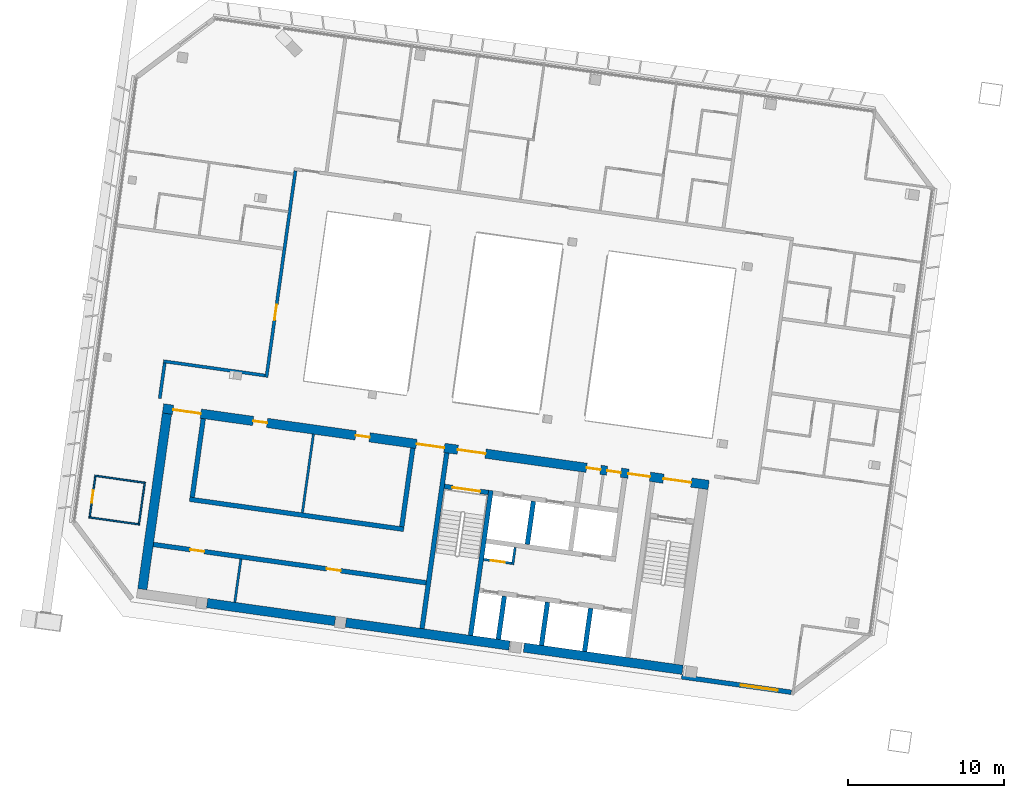
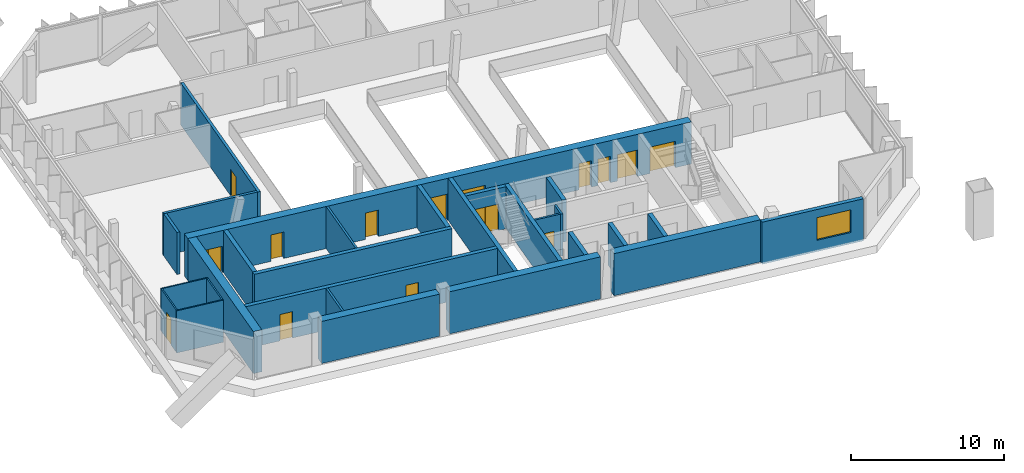
# One storey, part 15 of 26: 28 walls, 15 doors, 1 window, 16 openings.
"""IFC4 building model written with IfcOpenShell, lengths in metres."""

from ifc_helpers import new_model, si_unit, direction, frame, frame_2d, origin, place, context, subcontext, project, spatial, rectangle, extrude, material, layer, layer_set, type_object, element, fill, save


model = new_model("IFC4")

# Units and contexts
model_context = context("Model", 3, precision=1e-05, world=origin(), true_north=direction((0.0, 1.0)))
body_context = subcontext(model_context, "Body", "Model", "MODEL_VIEW")
ifc_project = project(units=[si_unit("LENGTHUNIT", "METRE"), si_unit("AREAUNIT", "SQUARE_METRE"), si_unit("VOLUMEUNIT", "CUBIC_METRE"), si_unit("PLANEANGLEUNIT", "RADIAN"), si_unit("MASSUNIT", "GRAM", prefix="KILO")], contexts=[model_context])

# Site, building, storey
site_placement = place(None, origin())
site = spatial("IfcSite", under=ifc_project, at=site_placement, CompositionType="ELEMENT")
building_placement = place(site_placement, origin())
building = spatial("IfcBuilding", under=site, at=building_placement, Name="Mirante Cascada Hotel Towers", CompositionType="ELEMENT")
storey_placement = place(building_placement, frame((0.0, 0.0, 228.0)))
storey = spatial("IfcBuildingStorey", under=building, at=storey_placement, Name="L54", CompositionType="ELEMENT", Elevation=228.0)

# Wall
ifc_material_1 = material(Name="Fire-rated plasterboard on metal studs")
ifc_layer_1 = layer(ifc_material_1, 0.2)
ifc_layer_set_1 = layer_set([ifc_layer_1], Name="Compartment wall 200 EI 120")
wall_type_1 = type_object("IfcWallType", Name="Compartment wall 200 EI 120", PredefinedType="PARTITIONING", material=ifc_layer_set_1)
wall_1_placement = place(storey_placement, frame((-70.6781, 0.2835, 0.0), z_axis=(0.0, 0.0, 1.0), x_axis=(0.990269, -0.1391661, 0.0)))
element("IfcWall", 1, at=wall_1_placement, inside=storey, type_object=wall_type_1, Name="Wall 1-L54-06", PredefinedType="PARTITIONING", context=body_context, shape_type="SweptSolid", body=[
    extrude(rectangle(XDim=6.6, YDim=0.2, at=frame_2d((3.3, 0.0))), origin(), (0.0, 0.0, 1.0), 3.35),
])

# Wall, opening, door
wall_2_placement = place(storey_placement, frame((-62.1923, 12.5216, 0.0), z_axis=(0.0, 0.0, 1.0), x_axis=(-0.1391716, -0.9902683, 0.0)))
wall_2 = element("IfcWall", 2, at=wall_2_placement, inside=storey, type_object=wall_type_1, Name="Wall 1-L54-48", PredefinedType="PARTITIONING", context=body_context, shape_type="SweptSolid", body=[
    extrude(rectangle(XDim=13.4, YDim=0.2, at=frame_2d((6.7, 0.0))), origin(), (0.0, 0.0, 1.0), 3.35),
])
opening_1_placement = place(wall_2_placement, frame((8.6834, 0.0, 0.0)))
opening_1 = element("IfcOpeningElement", 3, at=opening_1_placement, cuts=wall_2, Name="Opening D1-L54-29", PredefinedType="OPENING", context=body_context, shape_type="SweptSolid", body=[
    extrude(rectangle(XDim=1.0, YDim=2.1, at=frame_2d((0.5, 1.05))), frame((0.0, 0.1, 0.0), z_axis=(0.0, -1.0, 0.0), x_axis=(1.0, 0.0, 0.0)), (0.0, 0.0, 1.0), 0.2),
])
ifc_material_2 = material(Name="Fire-rated timber door leaf", Category="wood")
door_type_1 = type_object("IfcDoorType", Name="Entrance door DG1 1000x2100 EI 60", OperationType="SINGLE_SWING_LEFT", PredefinedType="DOOR", material=ifc_material_2)
door_1_placement = place(opening_1_placement, frame((1.0, 0.0, 0.0), z_axis=(0.0, 0.0, 1.0), x_axis=(-1.0, 0.0, 0.0)))
door_1 = element("IfcDoor", 4, at=door_1_placement, inside=storey, type_object=door_type_1, Name="Door D1-L54-29", OperationType="SINGLE_SWING_RIGHT", OverallHeight=2.1, OverallWidth=1.0, PredefinedType="DOOR", context=body_context, shape_type="SweptSolid", body=[
    extrude(rectangle(XDim=1.0, YDim=2.1, at=frame_2d((0.5, 1.05))), frame((0.0, 0.025, 0.0), z_axis=(0.0, -1.0, 0.0), x_axis=(1.0, 0.0, 0.0)), (0.0, 0.0, 1.0), 0.05),
])
fill(opening_1, door_1)

# Walls
wall_3_placement = place(storey_placement, frame((-70.9131, -2.107, 0.0), z_axis=(0.0, 0.0, 1.0), x_axis=(0.1391749, 0.9902678, 0.0)))
element("IfcWall", 5, at=wall_3_placement, inside=storey, type_object=wall_type_1, Name="Wall 1-L54-51", PredefinedType="PARTITIONING", context=body_context, shape_type="SweptSolid", body=[
    extrude(rectangle(XDim=2.3, YDim=0.2, at=frame_2d((1.15, 0.0))), origin(), (0.0, 0.0, 1.0), 3.35),
])
ifc_material_3 = material(Name="Masonry block", Category="masonry")
ifc_layer_2 = layer(ifc_material_3, 0.15)
ifc_layer_set_2 = layer_set([ifc_layer_2], Name="Core room partition 150 block EI 30")
wall_type_2 = type_object("IfcWallType", Name="Core room partition 150 block EI 30", PredefinedType="PARTITIONING", material=ifc_layer_set_2)
wall_4_placement = place(storey_placement, frame((-48.2295, -12.793, 0.0), z_axis=(0.0, 0.0, 1.0), x_axis=(0.1391935, 0.9902652, 0.0)))
element("IfcWall", 6, at=wall_4_placement, inside=storey, type_object=wall_type_2, Name="Core wall partition T1 L54 2", PredefinedType="PARTITIONING", context=body_context, shape_type="SweptSolid", body=[
    extrude(rectangle(XDim=1.1251, YDim=0.15, at=frame_2d((0.5626, 0.0))), origin(), (0.0, 0.0, 1.0), 3.35),
])

# Wall, opening, door
wall_5_placement = place(storey_placement, frame((-48.2933, -12.7083, 0.0), z_axis=(0.0, 0.0, 1.0), x_axis=(-0.990268, 0.1391734, 0.0)))
wall_5 = element("IfcWall", 7, at=wall_5_placement, inside=storey, type_object=wall_type_2, Name="Core wall partition T1 L54 3", PredefinedType="PARTITIONING", context=body_context, shape_type="SweptSolid", body=[
    extrude(rectangle(XDim=1.8251, YDim=0.15, at=frame_2d((0.9126, 0.0))), origin(), (0.0, 0.0, 1.0), 3.35),
])
opening_2_placement = place(wall_5_placement, frame((0.4625, 0.0, 0.0)))
opening_2 = element("IfcOpeningElement", 8, at=opening_2_placement, cuts=wall_5, Name="Opening D1-54-C15", PredefinedType="OPENING", context=body_context, shape_type="SweptSolid", body=[
    extrude(rectangle(XDim=0.9, YDim=2.1, at=frame_2d((0.45, 1.05))), frame((0.0, 0.075, 0.0), z_axis=(0.0, -1.0, 0.0), x_axis=(1.0, 0.0, 0.0)), (0.0, 0.0, 1.0), 0.15),
])
ifc_material_4 = material(Name="Hollow metal fire door leaf")
door_type_2 = type_object("IfcDoorType", Name="Fire door 900x2100 FD60", OperationType="NOTDEFINED", PredefinedType="DOOR", material=ifc_material_4)
door_2_placement = place(opening_2_placement, origin())
door_2 = element("IfcDoor", 9, at=door_2_placement, inside=storey, type_object=door_type_2, Name="Riser door T1 L54 15", OperationType="SINGLE_SWING_LEFT", OverallHeight=2.1, OverallWidth=0.9, PredefinedType="DOOR", context=body_context, shape_type="SweptSolid", body=[
    extrude(rectangle(XDim=0.9, YDim=2.1, at=frame_2d((0.45, 1.05))), frame((0.0, 0.025, 0.0), z_axis=(0.0, -1.0, 0.0), x_axis=(1.0, 0.0, 0.0)), (0.0, 0.0, 1.0), 0.05),
])
fill(opening_2, door_2)

# Walls
wall_6_placement = place(storey_placement, frame((-66.0891, -15.2059, 0.0), z_axis=(0.0, 0.0, 1.0), x_axis=(0.139176, 0.9902677, 0.0)))
element("IfcWall", 10, at=wall_6_placement, inside=storey, type_object=wall_type_2, Name="Core wall partition T1 L54 6", PredefinedType="PARTITIONING", context=body_context, shape_type="SweptSolid", body=[
    extrude(rectangle(XDim=2.8001, YDim=0.15, at=frame_2d((1.4, 0.0))), origin(), (0.0, 0.0, 1.0), 3.35),
])
wall_7_placement = place(storey_placement, frame((-61.7464, -9.4543, 0.0), z_axis=(0.0, 0.0, 1.0), x_axis=(0.1391755, 0.9902677, 0.0)))
element("IfcWall", 11, at=wall_7_placement, inside=storey, type_object=wall_type_2, Name="Core wall partition T1 L54 7", PredefinedType="PARTITIONING", context=body_context, shape_type="SweptSolid", body=[
    extrude(rectangle(XDim=5.1, YDim=0.15, at=frame_2d((2.55, 0.0))), origin(), (0.0, 0.0, 1.0), 3.35),
])

# Wall, openings, doors
ifc_material_5 = material(Name="Masonry block", Category="masonry")
ifc_layer_3 = layer(ifc_material_5, 0.3)
ifc_layer_set_3 = layer_set([ifc_layer_3], Name="Core wall 300 block EI 120")
wall_type_3 = type_object("IfcWallType", Name="Core wall 300 block EI 120", PredefinedType="PARTITIONING", material=ifc_layer_set_3)
wall_8_placement = place(storey_placement, frame((-53.7953, -13.9547, 0.0), z_axis=(0.0, 0.0, 1.0), x_axis=(-0.9902678, 0.1391747, 0.0)))
wall_8 = element("IfcWall", 12, at=wall_8_placement, inside=storey, type_object=wall_type_3, Name="Core wall partition T1 L54 5", PredefinedType="PARTITIONING", context=body_context, shape_type="SweptSolid", body=[
    extrude(rectangle(XDim=17.7001, YDim=0.3, at=frame_2d((8.85, 0.0))), origin(), (0.0, 0.0, 1.0), 3.35),
])
opening_3_placement = place(wall_8_placement, frame((5.55, 0.0, 0.0)))
opening_3 = element("IfcOpeningElement", 13, at=opening_3_placement, cuts=wall_8, Name="Opening D1-54-C18", PredefinedType="OPENING", context=body_context, shape_type="SweptSolid", body=[
    extrude(rectangle(XDim=0.9, YDim=2.1, at=frame_2d((0.45, 1.05))), frame((0.0, 0.15, 0.0), z_axis=(0.0, -1.0, 0.0), x_axis=(1.0, 0.0, 0.0)), (0.0, 0.0, 1.0), 0.3),
])
opening_4_placement = place(wall_8_placement, frame((14.4, 0.0, 0.0)))
opening_4 = element("IfcOpeningElement", 14, at=opening_4_placement, cuts=wall_8, Name="Opening D1-54-C19", PredefinedType="OPENING", context=body_context, shape_type="SweptSolid", body=[
    extrude(rectangle(XDim=0.9, YDim=2.1, at=frame_2d((0.45, 1.05))), frame((0.0, 0.15, 0.0), z_axis=(0.0, -1.0, 0.0), x_axis=(1.0, 0.0, 0.0)), (0.0, 0.0, 1.0), 0.3),
])
door_3_placement = place(opening_3_placement, origin())
door_3 = element("IfcDoor", 15, at=door_3_placement, inside=storey, type_object=door_type_2, Name="Room door T1 L54 18", OperationType="SINGLE_SWING_RIGHT", OverallHeight=2.1, OverallWidth=0.9, PredefinedType="DOOR", context=body_context, shape_type="SweptSolid", body=[
    extrude(rectangle(XDim=0.9, YDim=2.1, at=frame_2d((0.45, 1.05))), frame((0.0, 0.025, 0.0), z_axis=(0.0, -1.0, 0.0), x_axis=(1.0, 0.0, 0.0)), (0.0, 0.0, 1.0), 0.05),
])
fill(opening_3, door_3)
door_4_placement = place(opening_4_placement, origin())
door_4 = element("IfcDoor", 16, at=door_4_placement, inside=storey, type_object=door_type_2, Name="Room door T1 L54 19", OperationType="SINGLE_SWING_LEFT", OverallHeight=2.1, OverallWidth=0.9, PredefinedType="DOOR", context=body_context, shape_type="SweptSolid", body=[
    extrude(rectangle(XDim=0.9, YDim=2.1, at=frame_2d((0.45, 1.05))), frame((0.0, 0.025, 0.0), z_axis=(0.0, -1.0, 0.0), x_axis=(1.0, 0.0, 0.0)), (0.0, 0.0, 1.0), 0.05),
])
fill(opening_4, door_4)

# Walls
ifc_material_6 = material(Name="Plasterboard on metal studs")
ifc_layer_4 = layer(ifc_material_6, 0.1)
ifc_layer_set_4 = layer_set([ifc_layer_4], Name="Partition 100")
wall_type_4 = type_object("IfcWallType", Name="Partition 100", PredefinedType="PARTITIONING", material=ifc_layer_set_4)
wall_9_placement = place(storey_placement, frame((-75.4707, -9.7471, 0.0), z_axis=(0.0, 0.0, 1.0), x_axis=(0.990267, -0.139181, 0.0)))
element("IfcWall", 17, at=wall_9_placement, inside=storey, type_object=wall_type_4, Name="Wall 1-L54-02", PredefinedType="PARTITIONING", context=body_context, shape_type="SweptSolid", body=[
    extrude(rectangle(XDim=3.3, YDim=0.1, at=frame_2d((1.65, 0.0))), origin(), (0.0, 0.0, 1.0), 3.35),
])
wall_10_placement = place(storey_placement, frame((-71.8271, -7.5326, 0.0), z_axis=(0.0, 0.0, 1.0), x_axis=(-0.9902705, 0.1391555, 0.0)))
element("IfcWall", 18, at=wall_10_placement, inside=storey, type_object=wall_type_4, Name="Wall 1-L54-03", PredefinedType="PARTITIONING", context=body_context, shape_type="SweptSolid", body=[
    extrude(rectangle(XDim=3.2999, YDim=0.1, at=frame_2d((1.65, 0.0))), origin(), (0.0, 0.0, 1.0), 3.35),
])
wall_11_placement = place(storey_placement, frame((-71.8835, -7.5752, 0.0), z_axis=(0.0, 0.0, 1.0), x_axis=(-0.1391918, -0.9902654, 0.0)))
element("IfcWall", 19, at=wall_11_placement, inside=storey, type_object=wall_type_4, Name="Wall 1-L54-52", PredefinedType="PARTITIONING", context=body_context, shape_type="SweptSolid", body=[
    extrude(rectangle(XDim=2.6, YDim=0.1, at=frame_2d((1.3, 0.0))), origin(), (0.0, 0.0, 1.0), 3.35),
])

# Wall, opening, door
wall_12_placement = place(storey_placement, frame((-75.0524, -7.1298, 0.0), z_axis=(0.0, 0.0, 1.0), x_axis=(-0.1391541, -0.9902707, 0.0)))
wall_12 = element("IfcWall", 20, at=wall_12_placement, inside=storey, type_object=wall_type_4, Name="Wall 1-L54-54", PredefinedType="PARTITIONING", context=body_context, shape_type="SweptSolid", body=[
    extrude(rectangle(XDim=2.6, YDim=0.1, at=frame_2d((1.3, 0.0))), origin(), (0.0, 0.0, 1.0), 3.35),
])
opening_5_placement = place(wall_12_placement, frame((0.9, 0.0, 0.0)))
opening_5 = element("IfcOpeningElement", 21, at=opening_5_placement, cuts=wall_12, Name="Opening D1-L54-32", PredefinedType="OPENING", context=body_context, shape_type="SweptSolid", body=[
    extrude(rectangle(XDim=0.8, YDim=2.1, at=frame_2d((0.4, 1.05))), frame((0.0, 0.05, 0.0), z_axis=(0.0, -1.0, 0.0), x_axis=(1.0, 0.0, 0.0)), (0.0, 0.0, 1.0), 0.1),
])
ifc_material_7 = material(Name="Timber door leaf", Category="wood")
door_type_3 = type_object("IfcDoorType", Name="Bathroom door DG4 800x2100", OperationType="SINGLE_SWING_LEFT", PredefinedType="DOOR", material=ifc_material_7)
door_5_placement = place(opening_5_placement, origin())
door_5 = element("IfcDoor", 22, at=door_5_placement, inside=storey, type_object=door_type_3, Name="Door D1-L54-32", OperationType="SINGLE_SWING_LEFT", OverallHeight=2.1, OverallWidth=0.8, PredefinedType="DOOR", context=body_context, shape_type="SweptSolid", body=[
    extrude(rectangle(XDim=0.8, YDim=2.1, at=frame_2d((0.4, 1.05))), frame((0.0, 0.025, 0.0), z_axis=(0.0, -1.0, 0.0), x_axis=(1.0, 0.0, 0.0)), (0.0, 0.0, 1.0), 0.05),
])
fill(opening_5, door_5)

# Wall, opening, window
ifc_material_8 = material(Name="Precast concrete C40/50", Category="concrete")
ifc_layer_5 = layer(ifc_material_8, 0.3)
ifc_layer_set_5 = layer_set([ifc_layer_5], Name="Precast concrete C40/50 cladding wall 300")
wall_type_5 = type_object("IfcWallType", Name="Precast concrete C40/50 cladding wall 300", PredefinedType="STANDARD", material=ifc_layer_set_5)
wall_13_placement = place(storey_placement, frame((-30.3318, -20.9886, 0.0), z_axis=(0.0, 0.0, 1.0), x_axis=(-0.990268, 0.1391736, 0.0)))
wall_13 = element("IfcWall", 23, at=wall_13_placement, inside=storey, type_object=wall_type_5, Name="Rear cladding wall T1 L54 1", PredefinedType="STANDARD", context=body_context, shape_type="SweptSolid", body=[
    extrude(rectangle(XDim=7.1141, YDim=0.3, at=frame_2d((3.557, 0.0))), origin(), (0.0, 0.0, 1.0), 3.35),
])
opening_6_placement = place(wall_13_placement, frame((0.8787, 0.0, 0.9)))
opening_6 = element("IfcOpeningElement", 24, at=opening_6_placement, cuts=wall_13, Name="Opening W1-54-01", PredefinedType="OPENING", context=body_context, shape_type="SweptSolid", body=[
    extrude(rectangle(XDim=2.4, YDim=1.8, at=frame_2d((1.2, 0.9))), frame((0.0, 0.15, 0.0), z_axis=(0.0, -1.0, 0.0), x_axis=(1.0, 0.0, 0.0)), (0.0, 0.0, 1.0), 0.3),
])
ifc_material_9 = material(Name="Aluminium frame with clear double glazing", Category="aluminium")
window_type = type_object("IfcWindowType", Name="Punched window 2400x1800", PartitioningType="DOUBLE_PANEL_VERTICAL", PredefinedType="WINDOW", material=ifc_material_9)
window_placement = place(opening_6_placement, origin())
window = element("IfcWindow", 25, at=window_placement, inside=storey, type_object=window_type, Name="Window W1-54-01", OverallHeight=1.8, OverallWidth=2.4, PartitioningType="SINGLE_PANEL", PredefinedType="WINDOW", context=body_context, shape_type="SweptSolid", body=[
    extrude(rectangle(XDim=2.4, YDim=1.8, at=frame_2d((1.2, 0.9))), frame((0.0, 0.03, 0.0), z_axis=(0.0, -1.0, 0.0), x_axis=(1.0, 0.0, 0.0)), (0.0, 0.0, 1.0), 0.06),
])
fill(opening_6, window)

# Walls
ifc_material_10 = material(Name="Concrete C50/60", Category="concrete")
ifc_layer_6 = layer(ifc_material_10, 0.3)
ifc_layer_set_6 = layer_set([ifc_layer_6], Name="RC core wall 300 C50/60")
wall_type_6 = type_object("IfcWallType", Name="RC core wall 300 C50/60", PredefinedType="SHEAR", material=ifc_layer_set_6)
wall_14_placement = place(storey_placement, frame((-50.938, -17.3352, 0.0), z_axis=(0.0, 0.0, 1.0), x_axis=(0.1391706, 0.9902684, 0.0)))
element("IfcWall", 26, at=wall_14_placement, inside=storey, type_object=wall_type_6, Name="Core wall T1:L54:6", PredefinedType="SHEAR", context=body_context, shape_type="SweptSolid", body=[
    extrude(rectangle(XDim=9.4, YDim=0.3, at=frame_2d((4.7, 0.0))), origin(), (0.0, 0.0, 1.0), 3.35),
])
wall_15_placement = place(storey_placement, frame((-54.0574, -16.8968, 0.0), z_axis=(0.0, 0.0, 1.0), x_axis=(0.1391761, 0.9902677, 0.0)))
element("IfcWall", 27, at=wall_15_placement, inside=storey, type_object=wall_type_6, Name="Core wall T1:L54:7", PredefinedType="SHEAR", context=body_context, shape_type="SweptSolid", body=[
    extrude(rectangle(XDim=11.3999, YDim=0.3, at=frame_2d((5.7, 0.0))), origin(), (0.0, 0.0, 1.0), 3.35),
])

# Wall, opening, door
wall_16_placement = place(storey_placement, frame((-49.7992, -8.1544, 0.0), z_axis=(0.0, 0.0, 1.0), x_axis=(-0.9902656, 0.1391909, 0.0)))
wall_16 = element("IfcWall", 28, at=wall_16_placement, inside=storey, type_object=wall_type_6, Name="Core wall T1:L54:9", PredefinedType="SHEAR", context=body_context, shape_type="SweptSolid", body=[
    extrude(rectangle(XDim=2.85, YDim=0.3, at=frame_2d((1.425, 0.0))), origin(), (0.0, 0.0, 1.0), 3.35),
])
opening_7_placement = place(wall_16_placement, frame((0.525, 0.0, 0.0)))
opening_7 = element("IfcOpeningElement", 29, at=opening_7_placement, cuts=wall_16, Name="Opening D1-54-C09", PredefinedType="OPENING", context=body_context, shape_type="SweptSolid", body=[
    extrude(rectangle(XDim=1.8, YDim=2.1, at=frame_2d((0.9, 1.05))), frame((0.0, 0.15, 0.0), z_axis=(0.0, -1.0, 0.0), x_axis=(1.0, 0.0, 0.0)), (0.0, 0.0, 1.0), 0.3),
])
ifc_material_11 = material(Name="Hollow metal fire door leaf")
door_type_4 = type_object("IfcDoorType", Name="Double fire door 1800x2100 FD60", OperationType="DOUBLE_DOOR_SINGLE_SWING", PredefinedType="DOOR", material=ifc_material_11)
door_6_placement = place(opening_7_placement, origin())
door_6 = element("IfcDoor", 30, at=door_6_placement, inside=storey, type_object=door_type_4, Name="Stair door T1 L54 9", OperationType="DOUBLE_DOOR_SINGLE_SWING", OverallHeight=2.1, OverallWidth=1.8, PredefinedType="DOOR", context=body_context, shape_type="SweptSolid", body=[
    extrude(rectangle(XDim=0.895, YDim=2.1, at=frame_2d((0.4475, 1.05))), frame((0.0, 0.025, 0.0), z_axis=(0.0, -1.0, 0.0), x_axis=(1.0, 0.0, 0.0)), (0.0, 0.0, 1.0), 0.05),
    extrude(rectangle(XDim=0.895, YDim=2.1, at=frame_2d((1.3525, 1.05))), frame((0.0, 0.025, 0.0), z_axis=(0.0, -1.0, 0.0), x_axis=(1.0, 0.0, 0.0)), (0.0, 0.0, 1.0), 0.05),
])
fill(opening_7, door_6)

# Walls
wall_17_placement = place(storey_placement, frame((-43.61, -18.3651, 0.0), z_axis=(0.0, 0.0, 1.0), x_axis=(0.1391459, 0.9902719, 0.0)))
element("IfcWall", 31, at=wall_17_placement, inside=storey, type_object=wall_type_6, Name="Core wall T1:L54:13", PredefinedType="SHEAR", context=body_context, shape_type="SweptSolid", body=[
    extrude(rectangle(XDim=2.7999, YDim=0.3, at=frame_2d((1.4, 0.0))), origin(), (0.0, 0.0, 1.0), 3.35),
])
wall_18_placement = place(storey_placement, frame((-46.3828, -17.9754, 0.0), z_axis=(0.0, 0.0, 1.0), x_axis=(0.139181, 0.990267, 0.0)))
element("IfcWall", 32, at=wall_18_placement, inside=storey, type_object=wall_type_6, Name="Core wall T1:L54:14", PredefinedType="SHEAR", context=body_context, shape_type="SweptSolid", body=[
    extrude(rectangle(XDim=2.8, YDim=0.3, at=frame_2d((1.4, 0.0))), origin(), (0.0, 0.0, 1.0), 3.35),
])
wall_19_placement = place(storey_placement, frame((-49.1555, -17.5857, 0.0), z_axis=(0.0, 0.0, 1.0), x_axis=(0.1391459, 0.9902719, 0.0)))
element("IfcWall", 33, at=wall_19_placement, inside=storey, type_object=wall_type_6, Name="Core wall T1:L54:15", PredefinedType="SHEAR", context=body_context, shape_type="SweptSolid", body=[
    extrude(rectangle(XDim=2.7999, YDim=0.3, at=frame_2d((1.4, 0.0))), origin(), (0.0, 0.0, 1.0), 3.35),
])
wall_20_placement = place(storey_placement, frame((-47.2885, -11.4862, 0.0), z_axis=(0.0, 0.0, 1.0), x_axis=(0.139181, 0.990267, 0.0)))
element("IfcWall", 34, at=wall_20_placement, inside=storey, type_object=wall_type_6, Name="Core wall T1:L54:17", PredefinedType="SHEAR", context=body_context, shape_type="SweptSolid", body=[
    extrude(rectangle(XDim=2.8, YDim=0.3, at=frame_2d((1.4, 0.0))), origin(), (0.0, 0.0, 1.0), 3.35),
])
wall_21_placement = place(storey_placement, frame((-55.2315, -10.5214, 0.0), z_axis=(0.0, 0.0, 1.0), x_axis=(-0.9902681, 0.1391729, 0.0)))
element("IfcWall", 35, at=wall_21_placement, inside=storey, type_object=wall_type_6, Name="Core wall T1:L54:25", PredefinedType="SHEAR", context=body_context, shape_type="SweptSolid", body=[
    extrude(rectangle(XDim=13.9, YDim=0.3, at=frame_2d((6.95, 0.0))), origin(), (0.0, 0.0, 1.0), 3.35),
])
for number, where, z_axis, x_axis, name in (
    (36, (-55.3592, -10.352, 0.0), (0.0, 0.0, 1.0), (0.1391755, 0.9902677, 0.0), "Core wall T1:L54:26"),
    (37, (-68.8268, -8.4592, 0.0), (0.0, 0.0, 1.0), (0.1391755, 0.9902677, 0.0), "Core wall T1:L54:27"),
):
    element("IfcWall", number, at=place(storey_placement, frame(where, z_axis=z_axis, x_axis=x_axis)), inside=storey, type_object=wall_type_6, Name=name, PredefinedType="SHEAR", context=body_context, shape_type="SweptSolid", body=[
        extrude(rectangle(XDim=5.1, YDim=0.3, at=frame_2d((2.55, 0.0))), origin(), (0.0, 0.0, 1.0), 3.35),
    ])
ifc_material_12 = material(Name="Concrete C50/60", Category="concrete")
ifc_layer_7 = layer(ifc_material_12, 0.6)
ifc_layer_set_7 = layer_set([ifc_layer_7], Name="RC core wall 600 C50/60")
wall_type_7 = type_object("IfcWallType", Name="RC core wall 600 C50/60", PredefinedType="SHEAR", material=ifc_layer_set_7)
wall_22_placement = place(storey_placement, frame((-37.3141, -19.5529, 0.0), z_axis=(0.0, 0.0, 1.0), x_axis=(-0.9902684, 0.1391708, 0.0)))
element("IfcWall", 38, at=wall_22_placement, inside=storey, type_object=wall_type_7, Name="Core wall T1:L54:1.1", PredefinedType="SHEAR", context=body_context, shape_type="SweptSolid", body=[
    extrude(rectangle(XDim=10.2967, YDim=0.6, at=frame_2d((5.1484, 0.0))), origin(), (0.0, 0.0, 1.0), 3.35),
])
wall_23_placement = place(storey_placement, frame((-48.442, -17.989, 0.0), z_axis=(0.0, 0.0, 1.0), x_axis=(-0.9902681, 0.1391731, 0.0)))
element("IfcWall", 39, at=wall_23_placement, inside=storey, type_object=wall_type_7, Name="Core wall T1:L54:1.2", PredefinedType="SHEAR", context=body_context, shape_type="SweptSolid", body=[
    extrude(rectangle(XDim=10.6127, YDim=0.6, at=frame_2d((5.3064, 0.0))), origin(), (0.0, 0.0, 1.0), 3.35),
])
wall_24_placement = place(storey_placement, frame((-59.6446, -16.4145, 0.0), z_axis=(0.0, 0.0, 1.0), x_axis=(-0.9902686, 0.1391692, 0.0)))
element("IfcWall", 40, at=wall_24_placement, inside=storey, type_object=wall_type_7, Name="Core wall T1:L54:1.3", PredefinedType="SHEAR", context=body_context, shape_type="SweptSolid", body=[
    extrude(rectangle(XDim=8.3, YDim=0.6, at=frame_2d((4.15, 0.0))), origin(), (0.0, 0.0, 1.0), 3.35),
])

# Wall, openings, doors
wall_25_placement = place(storey_placement, frame((-35.644, -7.6697, 0.0), z_axis=(0.0, 0.0, 1.0), x_axis=(-0.9902682, 0.1391723, 0.0)))
wall_25 = element("IfcWall", 41, at=wall_25_placement, inside=storey, type_object=wall_type_7, Name="Core wall T1:L54:2", PredefinedType="SHEAR", context=body_context, shape_type="SweptSolid", body=[
    extrude(rectangle(XDim=35.4, YDim=0.6, at=frame_2d((17.7, 0.0))), origin(), (0.0, 0.0, 1.0), 3.35),
])
opening_8_placement = place(wall_25_placement, frame((1.125, 0.0, 0.0)))
opening_8 = element("IfcOpeningElement", 42, at=opening_8_placement, cuts=wall_25, Name="Opening D1-54-C08", PredefinedType="OPENING", context=body_context, shape_type="SweptSolid", body=[
    extrude(rectangle(XDim=1.8, YDim=2.1, at=frame_2d((0.9, 1.05))), frame((0.0, 0.3, 0.0), z_axis=(0.0, -1.0, 0.0), x_axis=(1.0, 0.0, 0.0)), (0.0, 0.0, 1.0), 0.6),
])
opening_9_placement = place(wall_25_placement, frame((14.475, 0.0, 0.0)))
opening_9 = element("IfcOpeningElement", 43, at=opening_9_placement, cuts=wall_25, Name="Opening D1-54-C10", PredefinedType="OPENING", context=body_context, shape_type="SweptSolid", body=[
    extrude(rectangle(XDim=1.8, YDim=2.1, at=frame_2d((0.9, 1.05))), frame((0.0, 0.3, 0.0), z_axis=(0.0, -1.0, 0.0), x_axis=(1.0, 0.0, 0.0)), (0.0, 0.0, 1.0), 0.6),
])
opening_10_placement = place(wall_25_placement, frame((3.8, 0.0, 0.0)))
opening_10 = element("IfcOpeningElement", 44, at=opening_10_placement, cuts=wall_25, Name="Opening D1-54-C11", PredefinedType="OPENING", context=body_context, shape_type="SweptSolid", body=[
    extrude(rectangle(XDim=1.4, YDim=2.1, at=frame_2d((0.7, 1.05))), frame((0.0, 0.3, 0.0), z_axis=(0.0, -1.0, 0.0), x_axis=(1.0, 0.0, 0.0)), (0.0, 0.0, 1.0), 0.6),
])
opening_11_placement = place(wall_25_placement, frame((17.15, 0.0, 0.0)))
opening_11 = element("IfcOpeningElement", 45, at=opening_11_placement, cuts=wall_25, Name="Opening D1-54-C12", PredefinedType="OPENING", context=body_context, shape_type="SweptSolid", body=[
    extrude(rectangle(XDim=1.8, YDim=2.1, at=frame_2d((0.9, 1.05))), frame((0.0, 0.3, 0.0), z_axis=(0.0, -1.0, 0.0), x_axis=(1.0, 0.0, 0.0)), (0.0, 0.0, 1.0), 0.6),
])
opening_12_placement = place(wall_25_placement, frame((32.95, 0.0, 0.0)))
opening_12 = element("IfcOpeningElement", 46, at=opening_12_placement, cuts=wall_25, Name="Opening D1-54-C13", PredefinedType="OPENING", context=body_context, shape_type="SweptSolid", body=[
    extrude(rectangle(XDim=1.8, YDim=2.1, at=frame_2d((0.9, 1.05))), frame((0.0, 0.3, 0.0), z_axis=(0.0, -1.0, 0.0), x_axis=(1.0, 0.0, 0.0)), (0.0, 0.0, 1.0), 0.6),
])
opening_13_placement = place(wall_25_placement, frame((5.6875, 0.0, 0.0)))
opening_13 = element("IfcOpeningElement", 47, at=opening_13_placement, cuts=wall_25, Name="Opening D1-54-C16", PredefinedType="OPENING", context=body_context, shape_type="SweptSolid", body=[
    extrude(rectangle(XDim=0.9, YDim=2.1, at=frame_2d((0.45, 1.05))), frame((0.0, 0.3, 0.0), z_axis=(0.0, -1.0, 0.0), x_axis=(1.0, 0.0, 0.0)), (0.0, 0.0, 1.0), 0.6),
])
opening_14_placement = place(wall_25_placement, frame((7.0125, 0.0, 0.0)))
opening_14 = element("IfcOpeningElement", 48, at=opening_14_placement, cuts=wall_25, Name="Opening D1-54-C17", PredefinedType="OPENING", context=body_context, shape_type="SweptSolid", body=[
    extrude(rectangle(XDim=0.9, YDim=2.1, at=frame_2d((0.45, 1.05))), frame((0.0, 0.3, 0.0), z_axis=(0.0, -1.0, 0.0), x_axis=(1.0, 0.0, 0.0)), (0.0, 0.0, 1.0), 0.6),
])
opening_15_placement = place(wall_25_placement, frame((22.0, 0.0, 0.0)))
opening_15 = element("IfcOpeningElement", 49, at=opening_15_placement, cuts=wall_25, Name="Opening D1-54-C20", PredefinedType="OPENING", context=body_context, shape_type="SweptSolid", body=[
    extrude(rectangle(XDim=0.9, YDim=2.1, at=frame_2d((0.45, 1.05))), frame((0.0, 0.3, 0.0), z_axis=(0.0, -1.0, 0.0), x_axis=(1.0, 0.0, 0.0)), (0.0, 0.0, 1.0), 0.6),
])
opening_16_placement = place(wall_25_placement, frame((28.65, 0.0, 0.0)))
opening_16 = element("IfcOpeningElement", 50, at=opening_16_placement, cuts=wall_25, Name="Opening D1-54-C21", PredefinedType="OPENING", context=body_context, shape_type="SweptSolid", body=[
    extrude(rectangle(XDim=0.9, YDim=2.1, at=frame_2d((0.45, 1.05))), frame((0.0, 0.3, 0.0), z_axis=(0.0, -1.0, 0.0), x_axis=(1.0, 0.0, 0.0)), (0.0, 0.0, 1.0), 0.6),
])
ifc_material_13 = material(Name="Hollow metal fire door leaf")
door_type_5 = type_object("IfcDoorType", Name="Double fire door 1400x2100 FD60", OperationType="DOUBLE_DOOR_SINGLE_SWING", PredefinedType="DOOR", material=ifc_material_13)
door_7_placement = place(opening_10_placement, frame((1.4, 0.0, 0.0), z_axis=(0.0, 0.0, 1.0), x_axis=(-1.0, 0.0, 0.0)))
door_7 = element("IfcDoor", 51, at=door_7_placement, inside=storey, type_object=door_type_5, Name="Exit door to gallery T1 L54 11", OperationType="DOUBLE_DOOR_SINGLE_SWING", OverallHeight=2.1, OverallWidth=1.4, PredefinedType="DOOR", context=body_context, shape_type="SweptSolid", body=[
    extrude(rectangle(XDim=0.695, YDim=2.1, at=frame_2d((0.3475, 1.05))), frame((0.0, 0.025, 0.0), z_axis=(0.0, -1.0, 0.0), x_axis=(1.0, 0.0, 0.0)), (0.0, 0.0, 1.0), 0.05),
    extrude(rectangle(XDim=0.695, YDim=2.1, at=frame_2d((1.0525, 1.05))), frame((0.0, 0.025, 0.0), z_axis=(0.0, -1.0, 0.0), x_axis=(1.0, 0.0, 0.0)), (0.0, 0.0, 1.0), 0.05),
])
fill(opening_10, door_7)
door_8_placement = place(opening_8_placement, origin())
door_8 = element("IfcDoor", 52, at=door_8_placement, inside=storey, type_object=door_type_4, Name="Exit door to gallery T1 L54 8", OperationType="DOUBLE_DOOR_SINGLE_SWING", OverallHeight=2.1, OverallWidth=1.8, PredefinedType="DOOR", context=body_context, shape_type="SweptSolid", body=[
    extrude(rectangle(XDim=0.895, YDim=2.1, at=frame_2d((0.4475, 1.05))), frame((0.0, 0.025, 0.0), z_axis=(0.0, -1.0, 0.0), x_axis=(1.0, 0.0, 0.0)), (0.0, 0.0, 1.0), 0.05),
    extrude(rectangle(XDim=0.895, YDim=2.1, at=frame_2d((1.3525, 1.05))), frame((0.0, 0.025, 0.0), z_axis=(0.0, -1.0, 0.0), x_axis=(1.0, 0.0, 0.0)), (0.0, 0.0, 1.0), 0.05),
])
fill(opening_8, door_8)
door_9_placement = place(opening_9_placement, origin())
door_9 = element("IfcDoor", 53, at=door_9_placement, inside=storey, type_object=door_type_4, Name="Exit door to gallery T1 L54 10", OperationType="DOUBLE_DOOR_SINGLE_SWING", OverallHeight=2.1, OverallWidth=1.8, PredefinedType="DOOR", context=body_context, shape_type="SweptSolid", body=[
    extrude(rectangle(XDim=0.895, YDim=2.1, at=frame_2d((0.4475, 1.05))), frame((0.0, 0.025, 0.0), z_axis=(0.0, -1.0, 0.0), x_axis=(1.0, 0.0, 0.0)), (0.0, 0.0, 1.0), 0.05),
    extrude(rectangle(XDim=0.895, YDim=2.1, at=frame_2d((1.3525, 1.05))), frame((0.0, 0.025, 0.0), z_axis=(0.0, -1.0, 0.0), x_axis=(1.0, 0.0, 0.0)), (0.0, 0.0, 1.0), 0.05),
])
fill(opening_9, door_9)
door_10_placement = place(opening_11_placement, frame((1.8, 0.0, 0.0), z_axis=(0.0, 0.0, 1.0), x_axis=(-1.0, 0.0, 0.0)))
door_10 = element("IfcDoor", 54, at=door_10_placement, inside=storey, type_object=door_type_4, Name="Exit door to gallery T1 L54 12", OperationType="DOUBLE_DOOR_SINGLE_SWING", OverallHeight=2.1, OverallWidth=1.8, PredefinedType="DOOR", context=body_context, shape_type="SweptSolid", body=[
    extrude(rectangle(XDim=0.895, YDim=2.1, at=frame_2d((0.4475, 1.05))), frame((0.0, 0.025, 0.0), z_axis=(0.0, -1.0, 0.0), x_axis=(1.0, 0.0, 0.0)), (0.0, 0.0, 1.0), 0.05),
    extrude(rectangle(XDim=0.895, YDim=2.1, at=frame_2d((1.3525, 1.05))), frame((0.0, 0.025, 0.0), z_axis=(0.0, -1.0, 0.0), x_axis=(1.0, 0.0, 0.0)), (0.0, 0.0, 1.0), 0.05),
])
fill(opening_11, door_10)
door_11_placement = place(opening_12_placement, frame((1.8, 0.0, 0.0), z_axis=(0.0, 0.0, 1.0), x_axis=(-1.0, 0.0, 0.0)))
door_11 = element("IfcDoor", 55, at=door_11_placement, inside=storey, type_object=door_type_4, Name="Exit door to gallery T1 L54 13", OperationType="DOUBLE_DOOR_SINGLE_SWING", OverallHeight=2.1, OverallWidth=1.8, PredefinedType="DOOR", context=body_context, shape_type="SweptSolid", body=[
    extrude(rectangle(XDim=0.895, YDim=2.1, at=frame_2d((0.4475, 1.05))), frame((0.0, 0.025, 0.0), z_axis=(0.0, -1.0, 0.0), x_axis=(1.0, 0.0, 0.0)), (0.0, 0.0, 1.0), 0.05),
    extrude(rectangle(XDim=0.895, YDim=2.1, at=frame_2d((1.3525, 1.05))), frame((0.0, 0.025, 0.0), z_axis=(0.0, -1.0, 0.0), x_axis=(1.0, 0.0, 0.0)), (0.0, 0.0, 1.0), 0.05),
])
fill(opening_12, door_11)
door_12_placement = place(opening_13_placement, origin())
door_12 = element("IfcDoor", 56, at=door_12_placement, inside=storey, type_object=door_type_2, Name="Room door T1 L54 16", OperationType="SINGLE_SWING_RIGHT", OverallHeight=2.1, OverallWidth=0.9, PredefinedType="DOOR", context=body_context, shape_type="SweptSolid", body=[
    extrude(rectangle(XDim=0.9, YDim=2.1, at=frame_2d((0.45, 1.05))), frame((0.0, 0.025, 0.0), z_axis=(0.0, -1.0, 0.0), x_axis=(1.0, 0.0, 0.0)), (0.0, 0.0, 1.0), 0.05),
])
fill(opening_13, door_12)
door_13_placement = place(opening_14_placement, origin())
door_13 = element("IfcDoor", 57, at=door_13_placement, inside=storey, type_object=door_type_2, Name="Room door T1 L54 17", OperationType="SINGLE_SWING_RIGHT", OverallHeight=2.1, OverallWidth=0.9, PredefinedType="DOOR", context=body_context, shape_type="SweptSolid", body=[
    extrude(rectangle(XDim=0.9, YDim=2.1, at=frame_2d((0.45, 1.05))), frame((0.0, 0.025, 0.0), z_axis=(0.0, -1.0, 0.0), x_axis=(1.0, 0.0, 0.0)), (0.0, 0.0, 1.0), 0.05),
])
fill(opening_14, door_13)
door_14_placement = place(opening_15_placement, origin())
door_14 = element("IfcDoor", 58, at=door_14_placement, inside=storey, type_object=door_type_2, Name="Room door T1 L54 20", OperationType="SINGLE_SWING_LEFT", OverallHeight=2.1, OverallWidth=0.9, PredefinedType="DOOR", context=body_context, shape_type="SweptSolid", body=[
    extrude(rectangle(XDim=0.9, YDim=2.1, at=frame_2d((0.45, 1.05))), frame((0.0, 0.025, 0.0), z_axis=(0.0, -1.0, 0.0), x_axis=(1.0, 0.0, 0.0)), (0.0, 0.0, 1.0), 0.05),
])
fill(opening_15, door_14)
door_15_placement = place(opening_16_placement, origin())
door_15 = element("IfcDoor", 59, at=door_15_placement, inside=storey, type_object=door_type_2, Name="Room door T1 L54 21", OperationType="SINGLE_SWING_LEFT", OverallHeight=2.1, OverallWidth=0.9, PredefinedType="DOOR", context=body_context, shape_type="SweptSolid", body=[
    extrude(rectangle(XDim=0.9, YDim=2.1, at=frame_2d((0.45, 1.05))), frame((0.0, 0.025, 0.0), z_axis=(0.0, -1.0, 0.0), x_axis=(1.0, 0.0, 0.0)), (0.0, 0.0, 1.0), 0.05),
])
fill(opening_16, door_15)

# Wall
wall_26_placement = place(storey_placement, frame((-72.0307, -14.3708, 0.0), z_axis=(0.0, 0.0, 1.0), x_axis=(0.1391675, 0.9902689, 0.0)))
element("IfcWall", 60, at=wall_26_placement, inside=storey, type_object=wall_type_7, Name="Core wall T1:L54:4", PredefinedType="SHEAR", context=body_context, shape_type="SweptSolid", body=[
    extrude(rectangle(XDim=11.3999, YDim=0.6, at=frame_2d((5.7, 0.0))), origin(), (0.0, 0.0, 1.0), 3.35),
])

save(model, "model.ifc")
